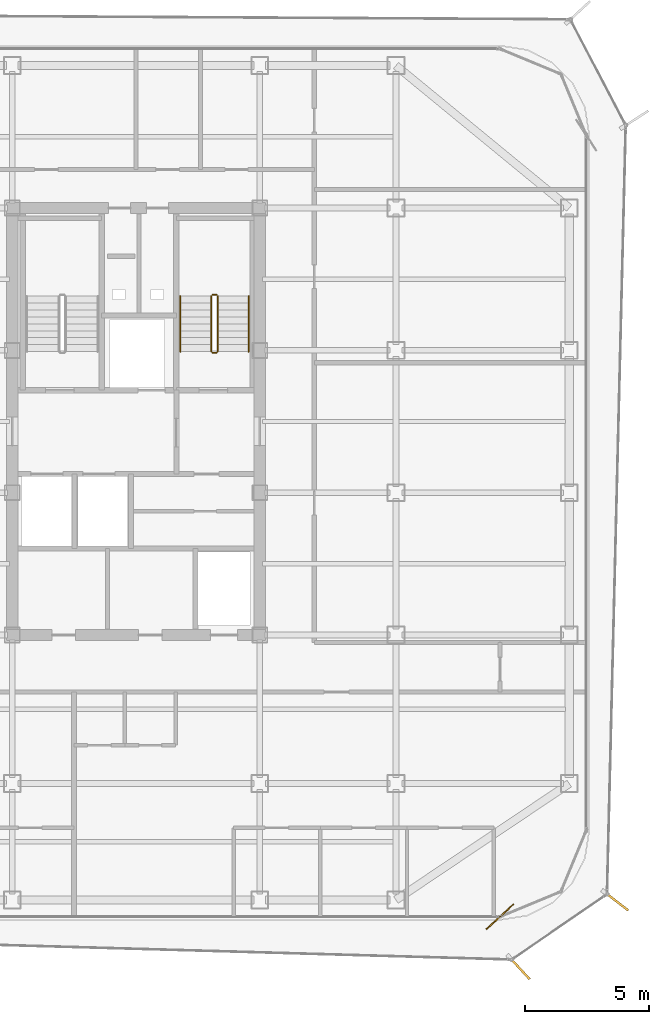
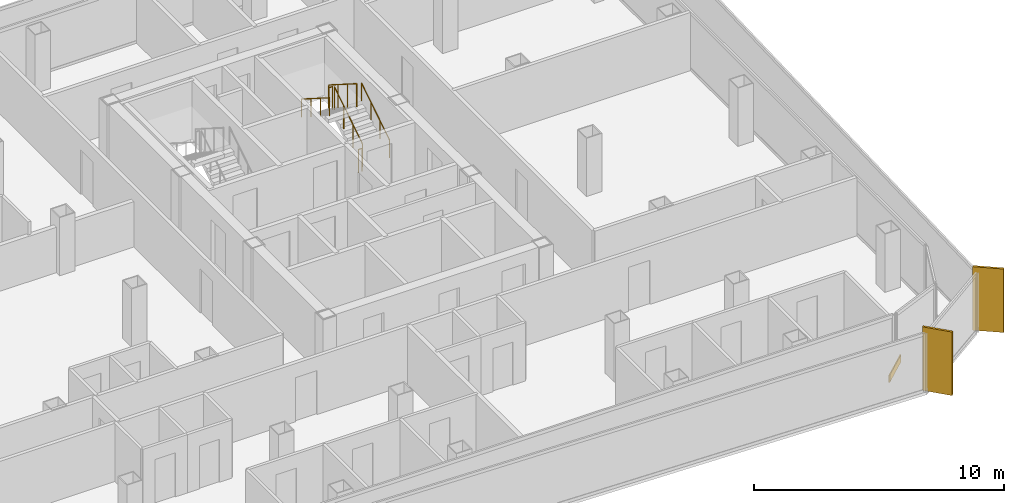
# One storey, part 14 of 15: 6 railings, 2 shading devices, 1 covering.
"""IFC4 building model written with IfcOpenShell, lengths in metres."""

from ifc_helpers import new_model, si_unit, direction, frame, origin, origin_2d, place, context, subcontext, project, spatial, rectangle, circle, extrude, source, transform, mapped, material, layer, layer_set, type_object, element, save


model = new_model("IFC4")

# Units and contexts
model_context = context("Model", 3, precision=1e-05, world=origin(), true_north=direction((0.0, 1.0)))
body_context = subcontext(model_context, "Body", "Model", "MODEL_VIEW")
ifc_project = project(units=[si_unit("LENGTHUNIT", "METRE"), si_unit("AREAUNIT", "SQUARE_METRE"), si_unit("VOLUMEUNIT", "CUBIC_METRE"), si_unit("PLANEANGLEUNIT", "RADIAN"), si_unit("MASSUNIT", "GRAM", prefix="KILO")], contexts=[model_context])

# Site, building, storey
site_placement = place(None, origin())
site = spatial("IfcSite", under=ifc_project, at=site_placement, CompositionType="ELEMENT")
building_placement = place(site_placement, origin())
building = spatial("IfcBuilding", under=site, at=building_placement, Name="Kolveth Station Tower", CompositionType="ELEMENT")
storey_placement = place(building_placement, frame((0.0, 0.0, 184.89990234375)))
storey = spatial("IfcBuildingStorey", under=building, at=storey_placement, Name="L52", CompositionType="ELEMENT", Elevation=184.89990234375)

# Railings
ifc_material_1 = material(Name="Painted Steel S355 balustrade", Category="steel")
railing_type_1 = type_object("IfcRailingType", Name="Guard_GR2", PredefinedType="BALUSTRADE", material=ifc_material_1)
railing_1_placement = place(storey_placement, frame((26.800048828125, 22.949951171875, 0.177978515625)))
element("IfcRailing", 1, at=railing_1_placement, inside=storey, type_object=railing_type_1, Name="L52 ST2 stair guard 1", PredefinedType="BALUSTRADE", context=body_context, shape_type="SweptSolid", body=[
    extrude(circle(Radius=0.02392578125, at=origin_2d()), frame((0.0, 0.0, 1.1259765625), z_axis=(0.0, 0.8442293374, 0.53598211339), x_axis=(-1.0, 0.0, 0.0)), (0.0, 0.0, 1.0), 2.6533203125),
    extrude(circle(Radius=0.02099609375, at=origin_2d()), origin(), (0.0, 0.0, 1.0), 1.101806640625),
    extrude(circle(Radius=0.02099609375, at=origin_2d()), frame((0.0, 0.74658203125, 0.47412109375)), (0.0, 0.0, 1.0), 1.101806640625),
    extrude(circle(Radius=0.02099609375, at=origin_2d()), frame((0.0, 1.493408203125, 0.947998046875)), (0.0, 0.0, 1.0), 1.101806640625),
    extrude(circle(Radius=0.02099609375, at=origin_2d()), frame((0.0, 2.239990234375, 1.422119140625)), (0.0, 0.0, 1.0), 1.101806640625),
])
railing_2_placement = place(storey_placement, frame((26.75, 25.239990234375, 1.60009765625)))
element("IfcRailing", 2, at=railing_2_placement, inside=storey, type_object=railing_type_1, Name="L52 ST2 stair guard 2", PredefinedType="BALUSTRADE", context=body_context, shape_type="SweptSolid", body=[
    extrude(circle(Radius=0.02392578125, at=origin_2d()), frame((0.0, 0.0, 1.1259765625), z_axis=(-1.0, 0.0, 0.0), x_axis=(0.0, -1.0, 0.0)), (0.0, 0.0, 1.0), 0.159912109375),
    extrude(circle(Radius=0.02099609375, at=origin_2d()), origin(), (0.0, 0.0, 1.0), 1.101806640625),
    extrude(circle(Radius=0.02099609375, at=origin_2d()), frame((-0.159912109375, 0.0, 0.0)), (0.0, 0.0, 1.0), 1.101806640625),
])
railing_3_placement = place(storey_placement, frame((26.5400390625, 25.18994140625, 1.77783203125)))
element("IfcRailing", 3, at=railing_3_placement, inside=storey, type_object=railing_type_1, Name="L52 ST2 stair guard 3", PredefinedType="BALUSTRADE", context=body_context, shape_type="SweptSolid", body=[
    extrude(circle(Radius=0.02392578125, at=origin_2d()), frame((0.0, 0.0, 1.1259765625), z_axis=(0.0, -0.84418770128, 0.536047689118), x_axis=(1.0, 0.0, 0.0)), (0.0, 0.0, 1.0), 2.6533203125),
    extrude(circle(Radius=0.02099609375, at=origin_2d()), origin(), (0.0, 0.0, 1.0), 1.101806640625),
    extrude(circle(Radius=0.02099609375, at=origin_2d()), frame((0.0, -0.74658203125, 0.47412109375)), (0.0, 0.0, 1.0), 1.101806640625),
    extrude(circle(Radius=0.02099609375, at=origin_2d()), frame((0.0, -1.493408203125, 0.9482421875)), (0.0, 0.0, 1.0), 1.101806640625),
    extrude(circle(Radius=0.02099609375, at=origin_2d()), frame((0.0, -2.239990234375, 1.42236328125)), (0.0, 0.0, 1.0), 1.101806640625),
])
railing_4_placement = place(storey_placement, frame((26.75, 22.89990234375, 0.0)))
element("IfcRailing", 4, at=railing_4_placement, inside=storey, type_object=railing_type_1, Name="L52 ST2 stair guard 4", PredefinedType="BALUSTRADE", context=body_context, shape_type="SweptSolid", body=[
    extrude(circle(Radius=0.02392578125, at=origin_2d()), frame((0.0, 0.0, 1.1259765625), z_axis=(-1.0, 0.0, 0.0), x_axis=(0.0, -1.0, 0.0)), (0.0, 0.0, 1.0), 0.159912109375),
    extrude(circle(Radius=0.02099609375, at=origin_2d()), origin(), (0.0, 0.0, 1.0), 1.101806640625),
    extrude(circle(Radius=0.02099609375, at=origin_2d()), frame((-0.159912109375, 0.0, 0.0)), (0.0, 0.0, 1.0), 1.101806640625),
])
ifc_material_2 = material(Name="Brushed stainless steel", Category="steel")
railing_type_2 = type_object("IfcRailingType", Name="Handrail_HR1", PredefinedType="HANDRAIL", material=ifc_material_2)
railing_5_placement = place(storey_placement, frame((28.050048828125, 22.949951171875, 0.177978515625)))
element("IfcRailing", 5, at=railing_5_placement, inside=storey, type_object=railing_type_2, Name="L52 ST2 stair handrail 1", PredefinedType="HANDRAIL", context=body_context, shape_type="SweptSolid", body=[
    extrude(circle(Radius=0.02392578125, at=origin_2d()), frame((0.0, 0.0, 0.8759765625), z_axis=(0.0, 0.8442293374, 0.53598211339), x_axis=(-1.0, 0.0, 0.0)), (0.0, 0.0, 1.0), 2.6533203125),
    extrude(circle(Radius=0.02099609375, at=origin_2d()), origin(), (0.0, 0.0, 1.0), 0.851806640625),
    extrude(circle(Radius=0.02099609375, at=origin_2d()), frame((0.0, 0.74658203125, 0.47412109375)), (0.0, 0.0, 1.0), 0.851806640625),
    extrude(circle(Radius=0.02099609375, at=origin_2d()), frame((0.0, 1.493408203125, 0.947998046875)), (0.0, 0.0, 1.0), 0.851806640625),
    extrude(circle(Radius=0.02099609375, at=origin_2d()), frame((0.0, 2.239990234375, 1.422119140625)), (0.0, 0.0, 1.0), 0.851806640625),
])
railing_6_placement = place(storey_placement, frame((25.2900390625, 25.18994140625, 1.77783203125)))
element("IfcRailing", 6, at=railing_6_placement, inside=storey, type_object=railing_type_2, Name="L52 ST2 stair handrail 2", PredefinedType="HANDRAIL", context=body_context, shape_type="SweptSolid", body=[
    extrude(circle(Radius=0.02392578125, at=origin_2d()), frame((0.0, 0.0, 0.8759765625), z_axis=(0.0, -0.84418770128, 0.536047689118), x_axis=(1.0, 0.0, 0.0)), (0.0, 0.0, 1.0), 2.6533203125),
    extrude(circle(Radius=0.02099609375, at=origin_2d()), origin(), (0.0, 0.0, 1.0), 0.851806640625),
    extrude(circle(Radius=0.02099609375, at=origin_2d()), frame((0.0, -0.74658203125, 0.47412109375)), (0.0, 0.0, 1.0), 0.851806640625),
    extrude(circle(Radius=0.02099609375, at=origin_2d()), frame((0.0, -1.493408203125, 0.9482421875)), (0.0, 0.0, 1.0), 0.851806640625),
    extrude(circle(Radius=0.02099609375, at=origin_2d()), frame((0.0, -2.239990234375, 1.42236328125)), (0.0, 0.0, 1.0), 0.851806640625),
])

# Shading devices
ifc_material_3 = material(Name="Black anodized aluminium 6063-T6", Category="aluminium")
shading_device_type = type_object("IfcShadingDeviceType", Name="FIN_VF1", PredefinedType="USERDEFINED", material=ifc_material_3)
shared_shape_1 = source(origin(), body_context, "Body", "SweptSolid", [
    extrude(rectangle(XDim=1.25, YDim=0.090087890625, at=origin_2d()), origin(), (0.0, 0.0, 1.0), 3.10009765625),
])
for number, where, z_axis, x_axis, name in (
    (7, (38.97900390625, -1.945068359375, 0.0), (0.0, 0.0, 1.0), (0.678159669868, -0.73491459515, 0.0), "L52 Dark-Aluminium Solar Fin 1"),
    (8, (42.886962890625, 0.758056640625, 0.0), (0.0, 0.0, 1.0), (0.793034484816, -0.60917674438, 0.0), "L52 Dark-Aluminium Solar Fin 2"),
):
    element("IfcShadingDevice", number, at=place(storey_placement, frame(where, z_axis=z_axis, x_axis=x_axis)), inside=storey, type_object=shading_device_type, Name=name, ObjectType="FIN", PredefinedType="USERDEFINED", context=body_context, shape_type="MappedRepresentation", body=[
        mapped(shared_shape_1, transform((0.0, 0.0, 0.0), x_axis=(1.0, 0.0, 0.0), y_axis=(0.0, 1.0, 0.0), z_axis=(0.0, 0.0, 1.0), scale=1.0)),
    ])

# Covering
ifc_material_4 = material(Name="Charcoal anodized aluminium spandrel cladding", Category="aluminium")
ifc_layer = layer(ifc_material_4, 0.044921875)
ifc_layer_set = layer_set([ifc_layer], Name="Charcoal anodized aluminium spandrel cladding")
covering_type = type_object("IfcCoveringType", Name="Clad_CD1", PredefinedType="CLADDING", material=ifc_layer_set)
shared_shape_2 = source(origin(), body_context, "Body", "SweptSolid", [
    extrude(rectangle(XDim=1.5, YDim=0.044921875, at=origin_2d()), origin(), (0.0, 0.0, 1.0), 0.360107421875),
])
covering_placement = place(storey_placement, frame((38.199951171875, 0.1201171875, 0.0), z_axis=(0.0, 0.0, 1.0), x_axis=(0.73491459515, 0.678159669868, 0.0)))
element("IfcCovering", 9, at=covering_placement, inside=storey, type_object=covering_type, Name="L52 Spandrel Edge Cladding 1", PredefinedType="CLADDING", context=body_context, shape_type="MappedRepresentation", body=[
    mapped(shared_shape_2, transform((0.0, 0.0, 0.0), x_axis=(1.0, 0.0, 0.0), y_axis=(0.0, 1.0, 0.0), z_axis=(0.0, 0.0, 1.0), scale=1.0)),
])

save(model, "model.ifc")
